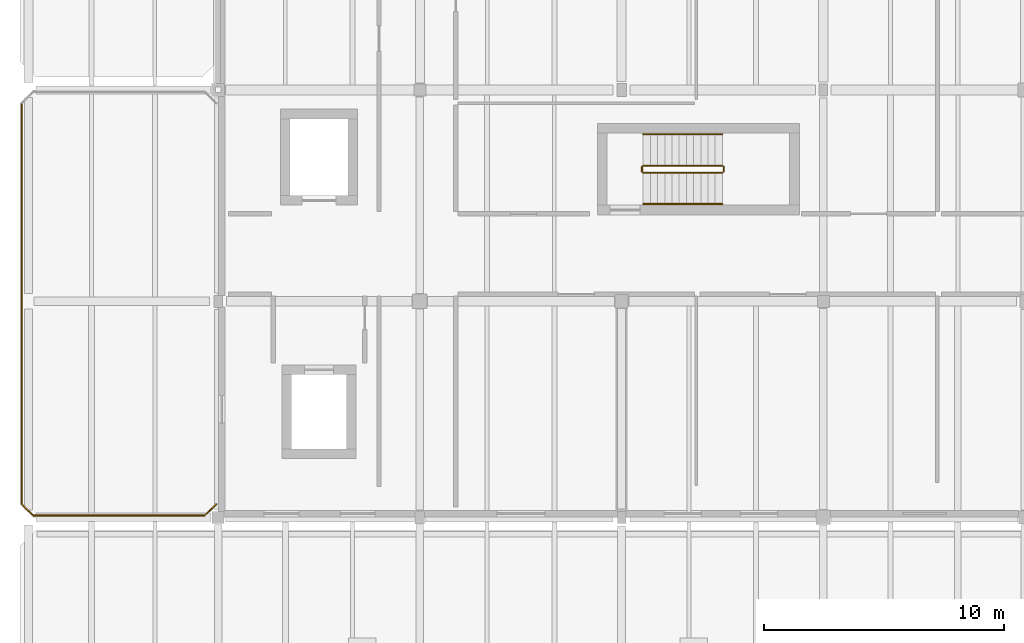
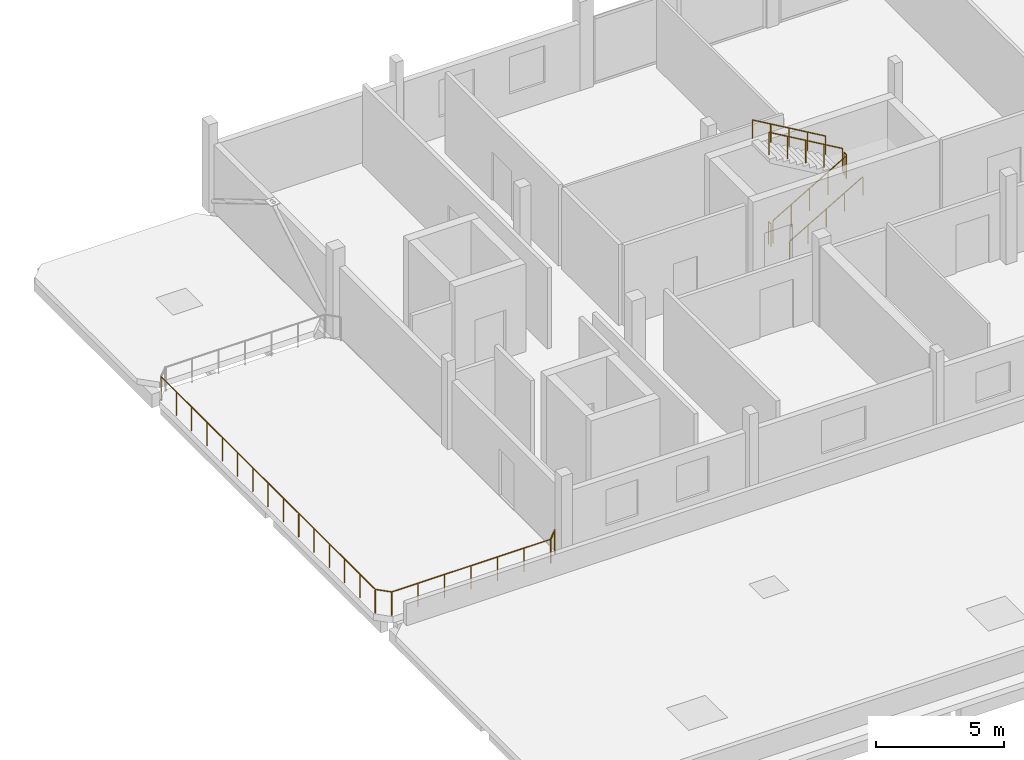
# One storey, part 53 of 66: 10 railings.
"""IFC4 building model written with IfcOpenShell, lengths in metres."""

from ifc_helpers import new_model, si_unit, direction, frame, origin, origin_2d, place, context, subcontext, project, spatial, circle, extrude, material, type_object, element, save


model = new_model("IFC4")

# Units and contexts
model_context = context("Model", 3, precision=1e-05, world=origin(), true_north=direction((0.0, 1.0)))
body_context = subcontext(model_context, "Body", "Model", "MODEL_VIEW")
ifc_project = project(units=[si_unit("LENGTHUNIT", "METRE"), si_unit("AREAUNIT", "SQUARE_METRE"), si_unit("VOLUMEUNIT", "CUBIC_METRE"), si_unit("PLANEANGLEUNIT", "RADIAN"), si_unit("MASSUNIT", "GRAM", prefix="KILO")], contexts=[model_context])

# Site, building, storey
site_placement = place(None, origin())
site = spatial("IfcSite", under=ifc_project, at=site_placement, CompositionType="ELEMENT")
building_placement = place(site_placement, origin())
building = spatial("IfcBuilding", under=site, at=building_placement, Name="Birchvale Park Specialist Clinic", CompositionType="ELEMENT")
storey_placement = place(building_placement, frame((0.0, 0.0, 5.39990234375)))
storey = spatial("IfcBuildingStorey", under=building, at=storey_placement, Name="L01", CompositionType="ELEMENT", Elevation=5.39990234375)

# Railings
ifc_material_1 = material(Name="Brushed stainless steel and laminated glass balustrade", Category="steel")
railing_type_1 = type_object("IfcRailingType", Name="RL-BAL2", PredefinedType="BALUSTRADE", material=ifc_material_1)
railing_1_placement = place(storey_placement, frame((3.5, 16.8798828125, 0.0)))
element("IfcRailing", 1, at=railing_1_placement, inside=storey, type_object=railing_type_1, Name="V2 L01 roof terrace guard balustrade 17", PredefinedType="BALUSTRADE", context=body_context, shape_type="SweptSolid", body=[
    extrude(circle(Radius=0.02392578125, at=origin_2d()), frame((0.0, 0.0, 1.1259765625), z_axis=(1.0, 0.0, 0.0), x_axis=(0.0, 1.0, 0.0)), (0.0, 0.0, 1.0), 7.14990234375),
    extrude(circle(Radius=0.02099609375, at=origin_2d()), origin(), (0.0, 0.0, 1.0), 1.101806640625),
    extrude(circle(Radius=0.02099609375, at=origin_2d()), frame((1.191650390625, 0.0, 0.0)), (0.0, 0.0, 1.0), 1.101806640625),
    extrude(circle(Radius=0.02099609375, at=origin_2d()), frame((2.38330078125, 0.0, 0.0)), (0.0, 0.0, 1.0), 1.101806640625),
    extrude(circle(Radius=0.02099609375, at=origin_2d()), frame((3.574951171875, 0.0, 0.0)), (0.0, 0.0, 1.0), 1.101806640625),
    extrude(circle(Radius=0.02099609375, at=origin_2d()), frame((4.7666015625, 0.0, 0.0)), (0.0, 0.0, 1.0), 1.101806640625),
    extrude(circle(Radius=0.02099609375, at=origin_2d()), frame((5.958251953125, 0.0, 0.0)), (0.0, 0.0, 1.0), 1.101806640625),
    extrude(circle(Radius=0.02099609375, at=origin_2d()), frame((7.14990234375, 0.0, 0.0)), (0.0, 0.0, 1.0), 1.101806640625),
])
railing_2_placement = place(storey_placement, frame((10.64990234375, 16.8798828125, 0.0)))
element("IfcRailing", 2, at=railing_2_placement, inside=storey, type_object=railing_type_1, Name="V2 L01 roof terrace guard balustrade 18", PredefinedType="BALUSTRADE", context=body_context, shape_type="SweptSolid", body=[
    extrude(circle(Radius=0.02392578125, at=origin_2d()), frame((0.0, 0.0, 1.1259765625), z_axis=(0.707106781187, 0.707106781187, 0.0), x_axis=(-0.707106781187, 0.707106781187, 0.0)), (0.0, 0.0, 1.0), 0.6650390625),
    extrude(circle(Radius=0.02099609375, at=origin_2d()), origin(), (0.0, 0.0, 1.0), 1.101806640625),
    extrude(circle(Radius=0.02099609375, at=origin_2d()), frame((0.47021484375, 0.47021484375, 0.0)), (0.0, 0.0, 1.0), 1.101806640625),
])
railing_3_placement = place(storey_placement, frame((3.030029296875, 34.050048828125, 0.0)))
element("IfcRailing", 3, at=railing_3_placement, inside=storey, type_object=railing_type_1, Name="V2 L01 roof terrace guard balustrade 22", PredefinedType="BALUSTRADE", context=body_context, shape_type="SweptSolid", body=[
    extrude(circle(Radius=0.02392578125, at=origin_2d()), frame((0.0, 0.0, 1.1259765625), z_axis=(0.0, -1.0, 0.0), x_axis=(1.0, 0.0, 0.0)), (0.0, 0.0, 1.0), 16.699951171875),
    extrude(circle(Radius=0.02099609375, at=origin_2d()), origin(), (0.0, 0.0, 1.0), 1.101806640625),
    extrude(circle(Radius=0.02099609375, at=origin_2d()), frame((0.0, -1.19287109375, 0.0)), (0.0, 0.0, 1.0), 1.101806640625),
    extrude(circle(Radius=0.02099609375, at=origin_2d()), frame((0.0, -2.3857421875, 0.0)), (0.0, 0.0, 1.0), 1.101806640625),
    extrude(circle(Radius=0.02099609375, at=origin_2d()), frame((0.0, -3.57861328125, 0.0)), (0.0, 0.0, 1.0), 1.101806640625),
    extrude(circle(Radius=0.02099609375, at=origin_2d()), frame((0.0, -4.771484375, 0.0)), (0.0, 0.0, 1.0), 1.101806640625),
    extrude(circle(Radius=0.02099609375, at=origin_2d()), frame((0.0, -5.96435546875, 0.0)), (0.0, 0.0, 1.0), 1.101806640625),
    extrude(circle(Radius=0.02099609375, at=origin_2d()), frame((0.0, -7.1572265625, 0.0)), (0.0, 0.0, 1.0), 1.101806640625),
    extrude(circle(Radius=0.02099609375, at=origin_2d()), frame((0.0, -8.35009765625, 0.0)), (0.0, 0.0, 1.0), 1.101806640625),
    extrude(circle(Radius=0.02099609375, at=origin_2d()), frame((0.0, -9.542724609375, 0.0)), (0.0, 0.0, 1.0), 1.101806640625),
    extrude(circle(Radius=0.02099609375, at=origin_2d()), frame((0.0, -10.735595703125, 0.0)), (0.0, 0.0, 1.0), 1.101806640625),
    extrude(circle(Radius=0.02099609375, at=origin_2d()), frame((0.0, -11.928466796875, 0.0)), (0.0, 0.0, 1.0), 1.101806640625),
    extrude(circle(Radius=0.02099609375, at=origin_2d()), frame((0.0, -13.121337890625, 0.0)), (0.0, 0.0, 1.0), 1.101806640625),
    extrude(circle(Radius=0.02099609375, at=origin_2d()), frame((0.0, -14.314208984375, 0.0)), (0.0, 0.0, 1.0), 1.101806640625),
    extrude(circle(Radius=0.02099609375, at=origin_2d()), frame((0.0, -15.507080078125, 0.0)), (0.0, 0.0, 1.0), 1.101806640625),
    extrude(circle(Radius=0.02099609375, at=origin_2d()), frame((0.0, -16.699951171875, 0.0)), (0.0, 0.0, 1.0), 1.101806640625),
])
railing_4_placement = place(storey_placement, frame((3.030029296875, 17.35009765625, 0.0)))
element("IfcRailing", 4, at=railing_4_placement, inside=storey, type_object=railing_type_1, Name="V2 L01 roof terrace guard balustrade 23", PredefinedType="BALUSTRADE", context=body_context, shape_type="SweptSolid", body=[
    extrude(circle(Radius=0.02392578125, at=origin_2d()), frame((0.0, 0.0, 1.1259765625), z_axis=(0.706923140946, -0.707290373747, 0.0), x_axis=(0.707290373747, 0.706923140946, 0.0)), (0.0, 0.0, 1.0), 0.664794921875),
    extrude(circle(Radius=0.02099609375, at=origin_2d()), origin(), (0.0, 0.0, 1.0), 1.101806640625),
    extrude(circle(Radius=0.02099609375, at=origin_2d()), frame((0.469970703125, -0.47021484375, 0.0)), (0.0, 0.0, 1.0), 1.101806640625),
])
ifc_material_2 = material(Name="Brushed stainless steel guard railing", Category="steel")
railing_type_2 = type_object("IfcRailingType", Name="RL-GRD1", PredefinedType="GUARDRAIL", material=ifc_material_2)
railing_5_placement = place(storey_placement, frame((28.89990234375, 31.14990234375, 0.175048828125)))
element("IfcRailing", 5, at=railing_5_placement, inside=storey, type_object=railing_type_2, Name="L01 ST2 stair guard 1", PredefinedType="GUARDRAIL", context=body_context, shape_type="SweptSolid", body=[
    extrude(circle(Radius=0.02392578125, at=origin_2d()), frame((0.0, 0.0, 1.076171875), z_axis=(0.863776583165, 0.0, 0.503874998761), x_axis=(0.0, 1.0, 0.0)), (0.0, 0.0, 1.0), 3.820556640625),
    extrude(circle(Radius=0.02099609375, at=origin_2d()), origin(), (0.0, 0.0, 1.0), 1.052001953125),
    extrude(circle(Radius=0.02099609375, at=origin_2d()), frame((0.824951171875, 0.0, 0.481201171875)), (0.0, 0.0, 1.0), 1.052001953125),
    extrude(circle(Radius=0.02099609375, at=origin_2d()), frame((1.64990234375, 0.0, 0.96240234375)), (0.0, 0.0, 1.0), 1.052001953125),
    extrude(circle(Radius=0.02099609375, at=origin_2d()), frame((2.47509765625, 0.0, 1.44384765625)), (0.0, 0.0, 1.0), 1.052001953125),
    extrude(circle(Radius=0.02099609375, at=origin_2d()), frame((3.300048828125, 0.0, 1.925048828125)), (0.0, 0.0, 1.0), 1.052001953125),
])
railing_6_placement = place(storey_placement, frame((32.25, 31.199951171875, 2.10009765625)))
element("IfcRailing", 6, at=railing_6_placement, inside=storey, type_object=railing_type_2, Name="L01 ST2 stair guard 2", PredefinedType="GUARDRAIL", context=body_context, shape_type="SweptSolid", body=[
    extrude(circle(Radius=0.02392578125, at=origin_2d()), frame((0.0, 0.0, 1.076171875), z_axis=(0.0, 1.0, 0.0), x_axis=(-1.0, 0.0, 0.0)), (0.0, 0.0, 1.0), 0.199951171875),
    extrude(circle(Radius=0.02099609375, at=origin_2d()), origin(), (0.0, 0.0, 1.0), 1.052001953125),
    extrude(circle(Radius=0.02099609375, at=origin_2d()), frame((0.0, 0.199951171875, 0.0)), (0.0, 0.0, 1.0), 1.052001953125),
])
railing_7_placement = place(storey_placement, frame((32.199951171875, 31.449951171875, 2.275146484375)))
element("IfcRailing", 7, at=railing_7_placement, inside=storey, type_object=railing_type_2, Name="L01 ST2 stair guard 3", PredefinedType="GUARDRAIL", context=body_context, shape_type="SweptSolid", body=[
    extrude(circle(Radius=0.02392578125, at=origin_2d()), frame((0.0, 0.0, 1.076171875), z_axis=(-0.863776583165, 0.0, 0.503874998761), x_axis=(0.0, -1.0, 0.0)), (0.0, 0.0, 1.0), 3.820556640625),
    extrude(circle(Radius=0.02099609375, at=origin_2d()), origin(), (0.0, 0.0, 1.0), 1.052001953125),
    extrude(circle(Radius=0.02099609375, at=origin_2d()), frame((-0.824951171875, 0.0, 0.481201171875)), (0.0, 0.0, 1.0), 1.052001953125),
    extrude(circle(Radius=0.02099609375, at=origin_2d()), frame((-1.64990234375, 0.0, 0.96240234375)), (0.0, 0.0, 1.0), 1.052001953125),
    extrude(circle(Radius=0.02099609375, at=origin_2d()), frame((-2.47509765625, 0.0, 1.44384765625)), (0.0, 0.0, 1.0), 1.052001953125),
    extrude(circle(Radius=0.02099609375, at=origin_2d()), frame((-3.300048828125, 0.0, 1.925048828125)), (0.0, 0.0, 1.0), 1.052001953125),
])
railing_8_placement = place(storey_placement, frame((28.85009765625, 31.199951171875, 0.0)))
element("IfcRailing", 8, at=railing_8_placement, inside=storey, type_object=railing_type_2, Name="L01 ST2 stair guard 4", PredefinedType="GUARDRAIL", context=body_context, shape_type="SweptSolid", body=[
    extrude(circle(Radius=0.02392578125, at=origin_2d()), frame((0.0, 0.0, 1.076171875), z_axis=(0.0, 1.0, 0.0), x_axis=(-1.0, 0.0, 0.0)), (0.0, 0.0, 1.0), 0.199951171875),
    extrude(circle(Radius=0.02099609375, at=origin_2d()), origin(), (0.0, 0.0, 1.0), 1.052001953125),
    extrude(circle(Radius=0.02099609375, at=origin_2d()), frame((0.0, 0.199951171875, 0.0)), (0.0, 0.0, 1.0), 1.052001953125),
])
ifc_material_3 = material(Name="Anodised aluminium handrail", Category="aluminium")
railing_type_3 = type_object("IfcRailingType", Name="RL-HND1", PredefinedType="HANDRAIL", material=ifc_material_3)
railing_9_placement = place(storey_placement, frame((28.89990234375, 29.85009765625, 0.175048828125)))
element("IfcRailing", 9, at=railing_9_placement, inside=storey, type_object=railing_type_3, Name="L01 ST2 stair handrail 1", PredefinedType="HANDRAIL", context=body_context, shape_type="SweptSolid", body=[
    extrude(circle(Radius=0.02392578125, at=origin_2d()), frame((0.0, 0.0, 0.8759765625), z_axis=(0.863776583165, 0.0, 0.503874998761), x_axis=(0.0, 1.0, 0.0)), (0.0, 0.0, 1.0), 3.820556640625),
    extrude(circle(Radius=0.02099609375, at=origin_2d()), origin(), (0.0, 0.0, 1.0), 0.851806640625),
    extrude(circle(Radius=0.02099609375, at=origin_2d()), frame((0.824951171875, 0.0, 0.481201171875)), (0.0, 0.0, 1.0), 0.851806640625),
    extrude(circle(Radius=0.02099609375, at=origin_2d()), frame((1.64990234375, 0.0, 0.96240234375)), (0.0, 0.0, 1.0), 0.851806640625),
    extrude(circle(Radius=0.02099609375, at=origin_2d()), frame((2.47509765625, 0.0, 1.44384765625)), (0.0, 0.0, 1.0), 0.851806640625),
    extrude(circle(Radius=0.02099609375, at=origin_2d()), frame((3.300048828125, 0.0, 1.925048828125)), (0.0, 0.0, 1.0), 0.851806640625),
])
railing_10_placement = place(storey_placement, frame((32.199951171875, 32.75, 2.275146484375)))
element("IfcRailing", 10, at=railing_10_placement, inside=storey, type_object=railing_type_3, Name="L01 ST2 stair handrail 2", PredefinedType="HANDRAIL", context=body_context, shape_type="SweptSolid", body=[
    extrude(circle(Radius=0.02392578125, at=origin_2d()), frame((0.0, 0.0, 0.8759765625), z_axis=(-0.863776583165, 0.0, 0.503874998761), x_axis=(0.0, -1.0, 0.0)), (0.0, 0.0, 1.0), 3.820556640625),
    extrude(circle(Radius=0.02099609375, at=origin_2d()), origin(), (0.0, 0.0, 1.0), 0.851806640625),
    extrude(circle(Radius=0.02099609375, at=origin_2d()), frame((-0.824951171875, 0.0, 0.481201171875)), (0.0, 0.0, 1.0), 0.851806640625),
    extrude(circle(Radius=0.02099609375, at=origin_2d()), frame((-1.64990234375, 0.0, 0.96240234375)), (0.0, 0.0, 1.0), 0.851806640625),
    extrude(circle(Radius=0.02099609375, at=origin_2d()), frame((-2.47509765625, 0.0, 1.44384765625)), (0.0, 0.0, 1.0), 0.851806640625),
    extrude(circle(Radius=0.02099609375, at=origin_2d()), frame((-3.300048828125, 0.0, 1.925048828125)), (0.0, 0.0, 1.0), 0.851806640625),
])

save(model, "model.ifc")
